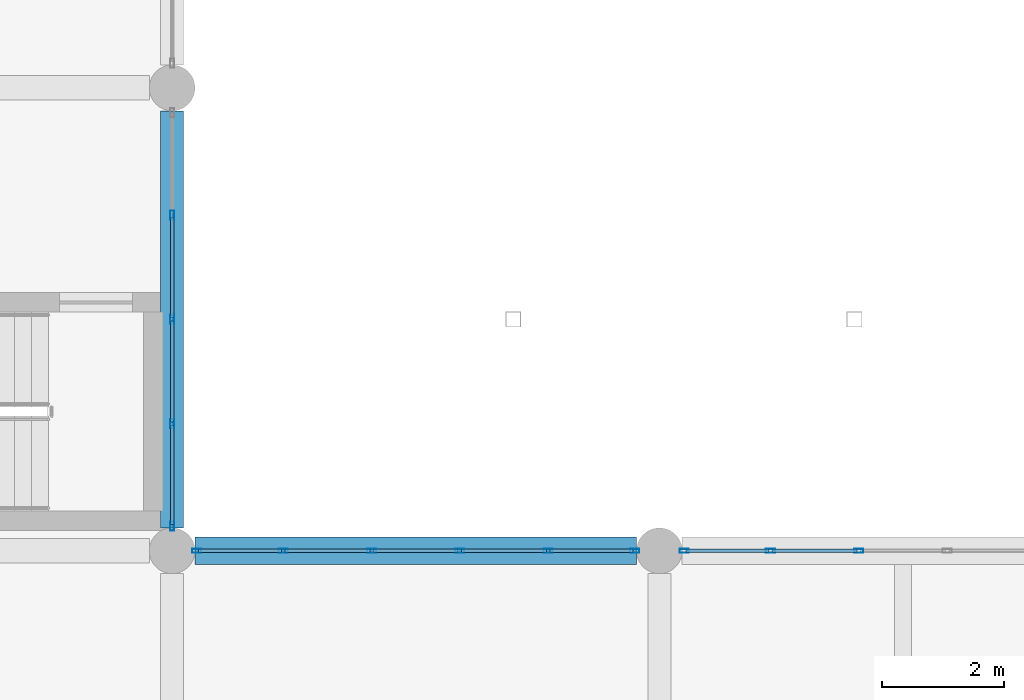
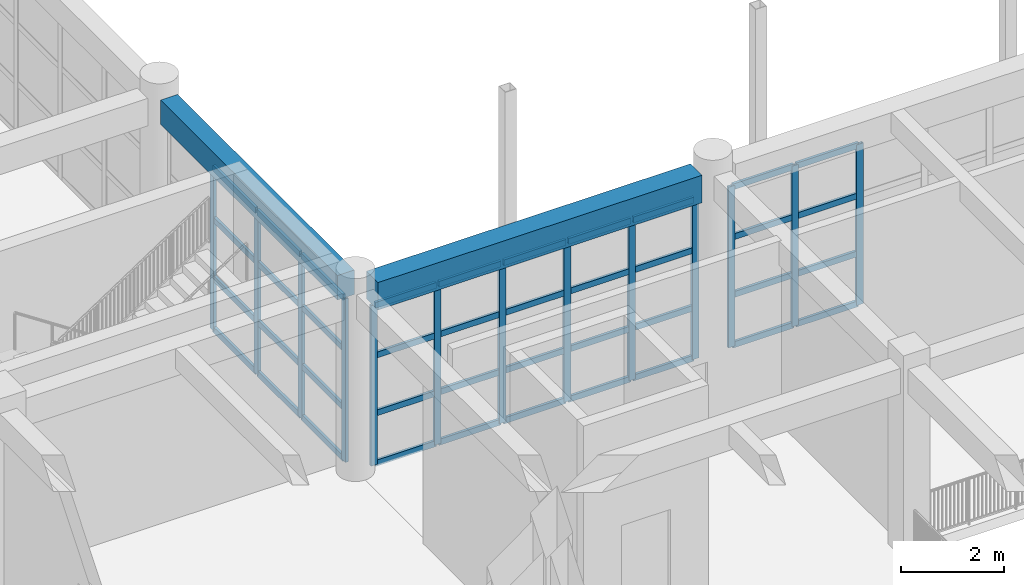
# One storey, part 27 of 101: 53 members, 2 beams, 3 elements without a shape of their own.
"""IFC4 building model written with IfcOpenShell, lengths in metres."""

from ifc_helpers import new_model, si_unit, direction, frame, origin, origin_2d, place, context, subcontext, project, spatial, rectangle, hollow_rectangle, extrude, material, material_profile, profile_set, type_object, element, aggregate, save


model = new_model("IFC4")

# Units and contexts
model_context = context("Model", 3, precision=1e-05, world=origin(), true_north=direction((0.0, 1.0)))
body_context = subcontext(model_context, "Body", "Model", "MODEL_VIEW")
ifc_project = project(units=[si_unit("LENGTHUNIT", "METRE"), si_unit("AREAUNIT", "SQUARE_METRE"), si_unit("VOLUMEUNIT", "CUBIC_METRE"), si_unit("PLANEANGLEUNIT", "RADIAN"), si_unit("MASSUNIT", "GRAM", prefix="KILO")], contexts=[model_context])

# Site, building, storey
site_placement = place(None, origin())
site = spatial("IfcSite", under=ifc_project, at=site_placement, CompositionType="ELEMENT")
building_placement = place(site_placement, origin())
building = spatial("IfcBuilding", under=site, at=building_placement, Name="Zantavel Square City Hall", CompositionType="ELEMENT")
storey_placement = place(building_placement, frame((0.0, 0.0, 5.39990234375)))
storey = spatial("IfcBuildingStorey", under=building, at=storey_placement, Name="L02", CompositionType="ELEMENT", Elevation=5.39990234375)

# Beam
ifc_material_1 = material(Name="Concrete C35/45", Category="concrete")
ifc_material_profile_1 = material_profile(ifc_material_1, rectangle(XDim=0.3798828125, YDim=0.580078125, at=origin_2d()), Name="RC 380x580")
ifc_profile_set_1 = profile_set([ifc_material_profile_1], Name="Concrete C35/45")
beam_type_1 = type_object("IfcBeamType", Name="Annex Secondary Beam RC 380x580 C35/45", PredefinedType="BEAM", material=ifc_profile_set_1)
beam_1_placement = place(storey_placement, frame((120.0, 38.375, 4.16015625), z_axis=(0.0, 1.0, 0.0), x_axis=(-1.0, 0.0, 0.0)))
element("IfcBeam", 1, at=beam_1_placement, inside=storey, type_object=beam_type_1, Name="L02 Beam BMY-L02-1200-0380", PredefinedType="BEAM", context=body_context, shape_type="SweptSolid", body=[
    extrude(rectangle(XDim=0.3798828125, YDim=0.580078125, at=origin_2d()), origin(), (0.0, 0.0, 1.0), 6.85009765625),
])

# Curtain wall, members
ifc_material_2 = material(Name="Anodised aluminium 6063-T6", Category="aluminium")
curtain_wall_type_1 = type_object("IfcCurtainWallType", Name="Curtain Wall CRT 7250x3800", PredefinedType="USERDEFINED", material=ifc_material_2)
curtain_wall_1_placement = place(storey_placement, origin())
curtain_wall_1 = element("IfcCurtainWall", 2, at=curtain_wall_1_placement, inside=storey, type_object=curtain_wall_type_1, Name="L02 Glazed Curtain Wall CW-L02-051", ObjectType="GLAZED CURTAIN WALL", PredefinedType="USERDEFINED")
ifc_material_profile_2 = material_profile(ifc_material_2, hollow_rectangle(XDim=0.06494140625, YDim=0.14990234375, WallThickness=0.00390625, at=origin_2d()), Name="ALU 65x150x4")
ifc_profile_set_2 = profile_set([ifc_material_profile_2], Name="Anodised aluminium 6063-T6")
member_type_1 = type_object("IfcMemberType", Name="CW Mullion ALU 65x150x4", PredefinedType="MULLION", material=ifc_profile_set_2)
member_1_placement = place(storey_placement, frame((120.405029296875, 38.0, 0.0), z_axis=(0.0, 0.0, 1.0), x_axis=(0.0, 1.0, 0.0)))
member_1 = element("IfcMember", 3, at=member_1_placement, type_object=member_type_1, Name="CW-051 mullion 1", PredefinedType="MULLION", context=body_context, shape_type="SweptSolid", body=[
    extrude(hollow_rectangle(XDim=0.06494140625, YDim=0.14990234375, WallThickness=0.00390625, at=origin_2d()), origin(), (0.0, 0.0, 1.0), 3.800048828125),
])
member_2_placement = place(storey_placement, frame((121.824951171875, 38.0, 0.0), z_axis=(0.0, 0.0, 1.0), x_axis=(0.0, 1.0, 0.0)))
member_2 = element("IfcMember", 4, at=member_2_placement, type_object=member_type_1, Name="CW-051 mullion 2", PredefinedType="MULLION", context=body_context, shape_type="SweptSolid", body=[
    extrude(hollow_rectangle(XDim=0.06494140625, YDim=0.14990234375, WallThickness=0.00390625, at=origin_2d()), origin(), (0.0, 0.0, 1.0), 3.800048828125),
])
member_3_placement = place(storey_placement, frame((123.27490234375, 38.0, 0.0), z_axis=(0.0, 0.0, 1.0), x_axis=(0.0, 1.0, 0.0)))
member_3 = element("IfcMember", 5, at=member_3_placement, type_object=member_type_1, Name="CW-051 mullion 3", PredefinedType="MULLION", context=body_context, shape_type="SweptSolid", body=[
    extrude(hollow_rectangle(XDim=0.06494140625, YDim=0.14990234375, WallThickness=0.00390625, at=origin_2d()), origin(), (0.0, 0.0, 1.0), 3.800048828125),
])
member_4_placement = place(storey_placement, frame((124.72509765625, 38.0, 0.0), z_axis=(0.0, 0.0, 1.0), x_axis=(0.0, 1.0, 0.0)))
member_4 = element("IfcMember", 6, at=member_4_placement, type_object=member_type_1, Name="CW-051 mullion 4", PredefinedType="MULLION", context=body_context, shape_type="SweptSolid", body=[
    extrude(hollow_rectangle(XDim=0.06494140625, YDim=0.14990234375, WallThickness=0.00390625, at=origin_2d()), origin(), (0.0, 0.0, 1.0), 3.800048828125),
])
member_5_placement = place(storey_placement, frame((126.175048828125, 38.0, 0.0), z_axis=(0.0, 0.0, 1.0), x_axis=(0.0, 1.0, 0.0)))
member_5 = element("IfcMember", 7, at=member_5_placement, type_object=member_type_1, Name="CW-051 mullion 5", PredefinedType="MULLION", context=body_context, shape_type="SweptSolid", body=[
    extrude(hollow_rectangle(XDim=0.06494140625, YDim=0.14990234375, WallThickness=0.00390625, at=origin_2d()), origin(), (0.0, 0.0, 1.0), 3.800048828125),
])
member_6_placement = place(storey_placement, frame((127.594970703125, 38.0, 0.0), z_axis=(0.0, 0.0, 1.0), x_axis=(0.0, 1.0, 0.0)))
member_6 = element("IfcMember", 8, at=member_6_placement, type_object=member_type_1, Name="CW-051 mullion 6", PredefinedType="MULLION", context=body_context, shape_type="SweptSolid", body=[
    extrude(hollow_rectangle(XDim=0.06494140625, YDim=0.14990234375, WallThickness=0.00390625, at=origin_2d()), origin(), (0.0, 0.0, 1.0), 3.800048828125),
])

curtain_wall_2_placement = place(storey_placement, origin())
curtain_wall_2 = element("IfcCurtainWall", 9, at=curtain_wall_2_placement, inside=storey, type_object=curtain_wall_type_1, Name="L02 Glazed Curtain Wall CW-L02-052", ObjectType="GLAZED CURTAIN WALL", PredefinedType="USERDEFINED")
member_7_placement = place(storey_placement, frame((128.405029296875, 38.0, 0.0), z_axis=(0.0, 0.0, 1.0), x_axis=(0.0, 1.0, 0.0)))
member_7 = element("IfcMember", 10, at=member_7_placement, type_object=member_type_1, Name="CW-052 mullion 1", PredefinedType="MULLION", context=body_context, shape_type="SweptSolid", body=[
    extrude(hollow_rectangle(XDim=0.06494140625, YDim=0.14990234375, WallThickness=0.00390625, at=origin_2d()), origin(), (0.0, 0.0, 1.0), 3.800048828125),
])
member_8_placement = place(storey_placement, frame((129.824951171875, 38.0, 0.0), z_axis=(0.0, 0.0, 1.0), x_axis=(0.0, 1.0, 0.0)))
member_8 = element("IfcMember", 11, at=member_8_placement, type_object=member_type_1, Name="CW-052 mullion 2", PredefinedType="MULLION", context=body_context, shape_type="SweptSolid", body=[
    extrude(hollow_rectangle(XDim=0.06494140625, YDim=0.14990234375, WallThickness=0.00390625, at=origin_2d()), origin(), (0.0, 0.0, 1.0), 3.800048828125),
])
member_9_placement = place(storey_placement, frame((131.27490234375, 38.0, 0.0), z_axis=(0.0, 0.0, 1.0), x_axis=(0.0, 1.0, 0.0)))
member_9 = element("IfcMember", 12, at=member_9_placement, type_object=member_type_1, Name="CW-052 mullion 3", PredefinedType="MULLION", context=body_context, shape_type="SweptSolid", body=[
    extrude(hollow_rectangle(XDim=0.06494140625, YDim=0.14990234375, WallThickness=0.00390625, at=origin_2d()), origin(), (0.0, 0.0, 1.0), 3.800048828125),
])

curtain_wall_type_2 = type_object("IfcCurtainWallType", Name="Curtain Wall CRT 6850x3870", PredefinedType="USERDEFINED", material=ifc_material_2)
curtain_wall_3_placement = place(storey_placement, origin())
curtain_wall_3 = element("IfcCurtainWall", 13, at=curtain_wall_3_placement, inside=storey, type_object=curtain_wall_type_2, Name="L02 Glazed Curtain Wall CW-L02-066", ObjectType="GLAZED CURTAIN WALL", PredefinedType="USERDEFINED")
member_10_placement = place(storey_placement, frame((120.0, 43.512451171875, 0.0), z_axis=(0.0, 0.0, 1.0), x_axis=(1.0, 0.0, 0.0)))
member_10 = element("IfcMember", 14, at=member_10_placement, type_object=member_type_1, Name="CW-066 mullion 2", PredefinedType="MULLION", context=body_context, shape_type="SweptSolid", body=[
    extrude(hollow_rectangle(XDim=0.06494140625, YDim=0.14990234375, WallThickness=0.00390625, at=origin_2d()), origin(), (0.0, 0.0, 1.0), 3.8701171875),
])
member_11_placement = place(storey_placement, frame((120.0, 41.800048828125, 0.0), z_axis=(0.0, 0.0, 1.0), x_axis=(1.0, 0.0, 0.0)))
member_11 = element("IfcMember", 15, at=member_11_placement, type_object=member_type_1, Name="CW-066 mullion 3", PredefinedType="MULLION", context=body_context, shape_type="SweptSolid", body=[
    extrude(hollow_rectangle(XDim=0.06494140625, YDim=0.14990234375, WallThickness=0.00390625, at=origin_2d()), origin(), (0.0, 0.0, 1.0), 3.8701171875),
])
member_12_placement = place(storey_placement, frame((120.0, 40.08740234375, 0.0), z_axis=(0.0, 0.0, 1.0), x_axis=(1.0, 0.0, 0.0)))
member_12 = element("IfcMember", 16, at=member_12_placement, type_object=member_type_1, Name="CW-066 mullion 4", PredefinedType="MULLION", context=body_context, shape_type="SweptSolid", body=[
    extrude(hollow_rectangle(XDim=0.06494140625, YDim=0.14990234375, WallThickness=0.00390625, at=origin_2d()), origin(), (0.0, 0.0, 1.0), 3.8701171875),
])
member_13_placement = place(storey_placement, frame((120.0, 38.405029296875, 0.0), z_axis=(0.0, 0.0, 1.0), x_axis=(1.0, 0.0, 0.0)))
member_13 = element("IfcMember", 17, at=member_13_placement, type_object=member_type_1, Name="CW-066 mullion 5", PredefinedType="MULLION", context=body_context, shape_type="SweptSolid", body=[
    extrude(hollow_rectangle(XDim=0.06494140625, YDim=0.14990234375, WallThickness=0.00390625, at=origin_2d()), origin(), (0.0, 0.0, 1.0), 3.8701171875),
])

# Member
ifc_material_profile_3 = material_profile(ifc_material_2, hollow_rectangle(XDim=0.06005859375, YDim=0.139892578125, WallThickness=0.00390625, at=origin_2d()), Name="ALU 60x140x4")
ifc_profile_set_3 = profile_set([ifc_material_profile_3], Name="Anodised aluminium 6063-T6")
member_type_2 = type_object("IfcMemberType", Name="CW Transom ALU 60x140x4", PredefinedType="USERDEFINED", material=ifc_profile_set_3)
member_14_placement = place(storey_placement, frame((120.43505859375, 38.0, 0.030029296875), z_axis=(1.0, 0.0, 0.0), x_axis=(0.0, 1.0, 0.0)))
member_14 = element("IfcMember", 18, at=member_14_placement, type_object=member_type_2, Name="CW-051 transom 1.1", ObjectType="TRANSOM", PredefinedType="USERDEFINED", context=body_context, shape_type="SweptSolid", body=[
    extrude(hollow_rectangle(XDim=0.06005859375, YDim=0.139892578125, WallThickness=0.00390625, at=origin_2d()), origin(), (0.0, 0.0, 1.0), 1.35986328125),
])

member_15_placement = place(storey_placement, frame((120.43505859375, 38.0, 1.216064453125), z_axis=(1.0, 0.0, 0.0), x_axis=(0.0, 1.0, 0.0)))
member_15 = element("IfcMember", 19, at=member_15_placement, type_object=member_type_2, Name="CW-051 transom 1.2", ObjectType="TRANSOM", PredefinedType="USERDEFINED", context=body_context, shape_type="SweptSolid", body=[
    extrude(hollow_rectangle(XDim=0.06005859375, YDim=0.139892578125, WallThickness=0.00390625, at=origin_2d()), origin(), (0.0, 0.0, 1.0), 1.35986328125),
])

member_16_placement = place(storey_placement, frame((120.43505859375, 38.0, 2.583984375), z_axis=(1.0, 0.0, 0.0), x_axis=(0.0, 1.0, 0.0)))
member_16 = element("IfcMember", 20, at=member_16_placement, type_object=member_type_2, Name="CW-051 transom 1.3", ObjectType="TRANSOM", PredefinedType="USERDEFINED", context=body_context, shape_type="SweptSolid", body=[
    extrude(hollow_rectangle(XDim=0.06005859375, YDim=0.139892578125, WallThickness=0.00390625, at=origin_2d()), origin(), (0.0, 0.0, 1.0), 1.35986328125),
])

member_17_placement = place(storey_placement, frame((120.43505859375, 38.0, 3.77001953125), z_axis=(1.0, 0.0, 0.0), x_axis=(0.0, 1.0, 0.0)))
member_17 = element("IfcMember", 21, at=member_17_placement, type_object=member_type_2, Name="CW-051 transom 1.4", ObjectType="TRANSOM", PredefinedType="USERDEFINED", context=body_context, shape_type="SweptSolid", body=[
    extrude(hollow_rectangle(XDim=0.06005859375, YDim=0.139892578125, WallThickness=0.00390625, at=origin_2d()), origin(), (0.0, 0.0, 1.0), 1.35986328125),
])

member_18_placement = place(storey_placement, frame((121.85498046875, 38.0, 0.030029296875), z_axis=(1.0, 0.0, 0.0), x_axis=(0.0, 1.0, 0.0)))
member_18 = element("IfcMember", 22, at=member_18_placement, type_object=member_type_2, Name="CW-051 transom 2.1", ObjectType="TRANSOM", PredefinedType="USERDEFINED", context=body_context, shape_type="SweptSolid", body=[
    extrude(hollow_rectangle(XDim=0.06005859375, YDim=0.139892578125, WallThickness=0.00390625, at=origin_2d()), origin(), (0.0, 0.0, 1.0), 1.39013671875),
])

member_19_placement = place(storey_placement, frame((121.85498046875, 38.0, 1.216064453125), z_axis=(1.0, 0.0, 0.0), x_axis=(0.0, 1.0, 0.0)))
member_19 = element("IfcMember", 23, at=member_19_placement, type_object=member_type_2, Name="CW-051 transom 2.2", ObjectType="TRANSOM", PredefinedType="USERDEFINED", context=body_context, shape_type="SweptSolid", body=[
    extrude(hollow_rectangle(XDim=0.06005859375, YDim=0.139892578125, WallThickness=0.00390625, at=origin_2d()), origin(), (0.0, 0.0, 1.0), 1.39013671875),
])

member_20_placement = place(storey_placement, frame((121.85498046875, 38.0, 2.583984375), z_axis=(1.0, 0.0, 0.0), x_axis=(0.0, 1.0, 0.0)))
member_20 = element("IfcMember", 24, at=member_20_placement, type_object=member_type_2, Name="CW-051 transom 2.3", ObjectType="TRANSOM", PredefinedType="USERDEFINED", context=body_context, shape_type="SweptSolid", body=[
    extrude(hollow_rectangle(XDim=0.06005859375, YDim=0.139892578125, WallThickness=0.00390625, at=origin_2d()), origin(), (0.0, 0.0, 1.0), 1.39013671875),
])

member_21_placement = place(storey_placement, frame((121.85498046875, 38.0, 3.77001953125), z_axis=(1.0, 0.0, 0.0), x_axis=(0.0, 1.0, 0.0)))
member_21 = element("IfcMember", 25, at=member_21_placement, type_object=member_type_2, Name="CW-051 transom 2.4", ObjectType="TRANSOM", PredefinedType="USERDEFINED", context=body_context, shape_type="SweptSolid", body=[
    extrude(hollow_rectangle(XDim=0.06005859375, YDim=0.139892578125, WallThickness=0.00390625, at=origin_2d()), origin(), (0.0, 0.0, 1.0), 1.39013671875),
])

member_22_placement = place(storey_placement, frame((123.304931640625, 38.0, 0.030029296875), z_axis=(1.0, 0.0, 0.0), x_axis=(0.0, 1.0, 0.0)))
member_22 = element("IfcMember", 26, at=member_22_placement, type_object=member_type_2, Name="CW-051 transom 3.1", ObjectType="TRANSOM", PredefinedType="USERDEFINED", context=body_context, shape_type="SweptSolid", body=[
    extrude(hollow_rectangle(XDim=0.06005859375, YDim=0.139892578125, WallThickness=0.00390625, at=origin_2d()), origin(), (0.0, 0.0, 1.0), 1.39013671875),
])

member_23_placement = place(storey_placement, frame((123.304931640625, 38.0, 1.216064453125), z_axis=(1.0, 0.0, 0.0), x_axis=(0.0, 1.0, 0.0)))
member_23 = element("IfcMember", 27, at=member_23_placement, type_object=member_type_2, Name="CW-051 transom 3.2", ObjectType="TRANSOM", PredefinedType="USERDEFINED", context=body_context, shape_type="SweptSolid", body=[
    extrude(hollow_rectangle(XDim=0.06005859375, YDim=0.139892578125, WallThickness=0.00390625, at=origin_2d()), origin(), (0.0, 0.0, 1.0), 1.39013671875),
])

member_24_placement = place(storey_placement, frame((123.304931640625, 38.0, 2.583984375), z_axis=(1.0, 0.0, 0.0), x_axis=(0.0, 1.0, 0.0)))
member_24 = element("IfcMember", 28, at=member_24_placement, type_object=member_type_2, Name="CW-051 transom 3.3", ObjectType="TRANSOM", PredefinedType="USERDEFINED", context=body_context, shape_type="SweptSolid", body=[
    extrude(hollow_rectangle(XDim=0.06005859375, YDim=0.139892578125, WallThickness=0.00390625, at=origin_2d()), origin(), (0.0, 0.0, 1.0), 1.39013671875),
])

member_25_placement = place(storey_placement, frame((123.304931640625, 38.0, 3.77001953125), z_axis=(1.0, 0.0, 0.0), x_axis=(0.0, 1.0, 0.0)))
member_25 = element("IfcMember", 29, at=member_25_placement, type_object=member_type_2, Name="CW-051 transom 3.4", ObjectType="TRANSOM", PredefinedType="USERDEFINED", context=body_context, shape_type="SweptSolid", body=[
    extrude(hollow_rectangle(XDim=0.06005859375, YDim=0.139892578125, WallThickness=0.00390625, at=origin_2d()), origin(), (0.0, 0.0, 1.0), 1.39013671875),
])

member_26_placement = place(storey_placement, frame((124.7548828125, 38.0, 0.030029296875), z_axis=(1.0, 0.0, 0.0), x_axis=(0.0, 1.0, 0.0)))
member_26 = element("IfcMember", 30, at=member_26_placement, type_object=member_type_2, Name="CW-051 transom 4.1", ObjectType="TRANSOM", PredefinedType="USERDEFINED", context=body_context, shape_type="SweptSolid", body=[
    extrude(hollow_rectangle(XDim=0.06005859375, YDim=0.139892578125, WallThickness=0.00390625, at=origin_2d()), origin(), (0.0, 0.0, 1.0), 1.39013671875),
])

member_27_placement = place(storey_placement, frame((124.7548828125, 38.0, 1.216064453125), z_axis=(1.0, 0.0, 0.0), x_axis=(0.0, 1.0, 0.0)))
member_27 = element("IfcMember", 31, at=member_27_placement, type_object=member_type_2, Name="CW-051 transom 4.2", ObjectType="TRANSOM", PredefinedType="USERDEFINED", context=body_context, shape_type="SweptSolid", body=[
    extrude(hollow_rectangle(XDim=0.06005859375, YDim=0.139892578125, WallThickness=0.00390625, at=origin_2d()), origin(), (0.0, 0.0, 1.0), 1.39013671875),
])

member_28_placement = place(storey_placement, frame((124.7548828125, 38.0, 2.583984375), z_axis=(1.0, 0.0, 0.0), x_axis=(0.0, 1.0, 0.0)))
member_28 = element("IfcMember", 32, at=member_28_placement, type_object=member_type_2, Name="CW-051 transom 4.3", ObjectType="TRANSOM", PredefinedType="USERDEFINED", context=body_context, shape_type="SweptSolid", body=[
    extrude(hollow_rectangle(XDim=0.06005859375, YDim=0.139892578125, WallThickness=0.00390625, at=origin_2d()), origin(), (0.0, 0.0, 1.0), 1.39013671875),
])

member_29_placement = place(storey_placement, frame((124.7548828125, 38.0, 3.77001953125), z_axis=(1.0, 0.0, 0.0), x_axis=(0.0, 1.0, 0.0)))
member_29 = element("IfcMember", 33, at=member_29_placement, type_object=member_type_2, Name="CW-051 transom 4.4", ObjectType="TRANSOM", PredefinedType="USERDEFINED", context=body_context, shape_type="SweptSolid", body=[
    extrude(hollow_rectangle(XDim=0.06005859375, YDim=0.139892578125, WallThickness=0.00390625, at=origin_2d()), origin(), (0.0, 0.0, 1.0), 1.39013671875),
])

member_30_placement = place(storey_placement, frame((126.205078125, 38.0, 0.030029296875), z_axis=(1.0, 0.0, 0.0), x_axis=(0.0, 1.0, 0.0)))
member_30 = element("IfcMember", 34, at=member_30_placement, type_object=member_type_2, Name="CW-051 transom 5.1", ObjectType="TRANSOM", PredefinedType="USERDEFINED", context=body_context, shape_type="SweptSolid", body=[
    extrude(hollow_rectangle(XDim=0.06005859375, YDim=0.139892578125, WallThickness=0.00390625, at=origin_2d()), origin(), (0.0, 0.0, 1.0), 1.35986328125),
])

member_31_placement = place(storey_placement, frame((126.205078125, 38.0, 1.216064453125), z_axis=(1.0, 0.0, 0.0), x_axis=(0.0, 1.0, 0.0)))
member_31 = element("IfcMember", 35, at=member_31_placement, type_object=member_type_2, Name="CW-051 transom 5.2", ObjectType="TRANSOM", PredefinedType="USERDEFINED", context=body_context, shape_type="SweptSolid", body=[
    extrude(hollow_rectangle(XDim=0.06005859375, YDim=0.139892578125, WallThickness=0.00390625, at=origin_2d()), origin(), (0.0, 0.0, 1.0), 1.35986328125),
])

member_32_placement = place(storey_placement, frame((126.205078125, 38.0, 2.583984375), z_axis=(1.0, 0.0, 0.0), x_axis=(0.0, 1.0, 0.0)))
member_32 = element("IfcMember", 36, at=member_32_placement, type_object=member_type_2, Name="CW-051 transom 5.3", ObjectType="TRANSOM", PredefinedType="USERDEFINED", context=body_context, shape_type="SweptSolid", body=[
    extrude(hollow_rectangle(XDim=0.06005859375, YDim=0.139892578125, WallThickness=0.00390625, at=origin_2d()), origin(), (0.0, 0.0, 1.0), 1.35986328125),
])

member_33_placement = place(storey_placement, frame((126.205078125, 38.0, 3.77001953125), z_axis=(1.0, 0.0, 0.0), x_axis=(0.0, 1.0, 0.0)))
member_33 = element("IfcMember", 37, at=member_33_placement, type_object=member_type_2, Name="CW-051 transom 5.4", ObjectType="TRANSOM", PredefinedType="USERDEFINED", context=body_context, shape_type="SweptSolid", body=[
    extrude(hollow_rectangle(XDim=0.06005859375, YDim=0.139892578125, WallThickness=0.00390625, at=origin_2d()), origin(), (0.0, 0.0, 1.0), 1.35986328125),
])

aggregate(curtain_wall_1, [member_1, member_2, member_3, member_4, member_5, member_6, member_14, member_15, member_16, member_17, member_18, member_19, member_20, member_21, member_22, member_23, member_24, member_25, member_26, member_27, member_28, member_29, member_30, member_31, member_32, member_33])

member_34_placement = place(storey_placement, frame((128.43505859375, 38.0, 0.030029296875), z_axis=(1.0, 0.0, 0.0), x_axis=(0.0, 1.0, 0.0)))
member_34 = element("IfcMember", 38, at=member_34_placement, type_object=member_type_2, Name="CW-052 transom 1.1", ObjectType="TRANSOM", PredefinedType="USERDEFINED", context=body_context, shape_type="SweptSolid", body=[
    extrude(hollow_rectangle(XDim=0.06005859375, YDim=0.139892578125, WallThickness=0.00390625, at=origin_2d()), origin(), (0.0, 0.0, 1.0), 1.35986328125),
])

member_35_placement = place(storey_placement, frame((128.43505859375, 38.0, 1.216064453125), z_axis=(1.0, 0.0, 0.0), x_axis=(0.0, 1.0, 0.0)))
member_35 = element("IfcMember", 39, at=member_35_placement, type_object=member_type_2, Name="CW-052 transom 1.2", ObjectType="TRANSOM", PredefinedType="USERDEFINED", context=body_context, shape_type="SweptSolid", body=[
    extrude(hollow_rectangle(XDim=0.06005859375, YDim=0.139892578125, WallThickness=0.00390625, at=origin_2d()), origin(), (0.0, 0.0, 1.0), 1.35986328125),
])

member_36_placement = place(storey_placement, frame((128.43505859375, 38.0, 2.583984375), z_axis=(1.0, 0.0, 0.0), x_axis=(0.0, 1.0, 0.0)))
member_36 = element("IfcMember", 40, at=member_36_placement, type_object=member_type_2, Name="CW-052 transom 1.3", ObjectType="TRANSOM", PredefinedType="USERDEFINED", context=body_context, shape_type="SweptSolid", body=[
    extrude(hollow_rectangle(XDim=0.06005859375, YDim=0.139892578125, WallThickness=0.00390625, at=origin_2d()), origin(), (0.0, 0.0, 1.0), 1.35986328125),
])

member_37_placement = place(storey_placement, frame((128.43505859375, 38.0, 3.77001953125), z_axis=(1.0, 0.0, 0.0), x_axis=(0.0, 1.0, 0.0)))
member_37 = element("IfcMember", 41, at=member_37_placement, type_object=member_type_2, Name="CW-052 transom 1.4", ObjectType="TRANSOM", PredefinedType="USERDEFINED", context=body_context, shape_type="SweptSolid", body=[
    extrude(hollow_rectangle(XDim=0.06005859375, YDim=0.139892578125, WallThickness=0.00390625, at=origin_2d()), origin(), (0.0, 0.0, 1.0), 1.35986328125),
])

member_38_placement = place(storey_placement, frame((129.85498046875, 38.0, 0.030029296875), z_axis=(1.0, 0.0, 0.0), x_axis=(0.0, 1.0, 0.0)))
member_38 = element("IfcMember", 42, at=member_38_placement, type_object=member_type_2, Name="CW-052 transom 2.1", ObjectType="TRANSOM", PredefinedType="USERDEFINED", context=body_context, shape_type="SweptSolid", body=[
    extrude(hollow_rectangle(XDim=0.06005859375, YDim=0.139892578125, WallThickness=0.00390625, at=origin_2d()), origin(), (0.0, 0.0, 1.0), 1.39013671875),
])

member_39_placement = place(storey_placement, frame((129.85498046875, 38.0, 1.216064453125), z_axis=(1.0, 0.0, 0.0), x_axis=(0.0, 1.0, 0.0)))
member_39 = element("IfcMember", 43, at=member_39_placement, type_object=member_type_2, Name="CW-052 transom 2.2", ObjectType="TRANSOM", PredefinedType="USERDEFINED", context=body_context, shape_type="SweptSolid", body=[
    extrude(hollow_rectangle(XDim=0.06005859375, YDim=0.139892578125, WallThickness=0.00390625, at=origin_2d()), origin(), (0.0, 0.0, 1.0), 1.39013671875),
])

member_40_placement = place(storey_placement, frame((129.85498046875, 38.0, 2.583984375), z_axis=(1.0, 0.0, 0.0), x_axis=(0.0, 1.0, 0.0)))
member_40 = element("IfcMember", 44, at=member_40_placement, type_object=member_type_2, Name="CW-052 transom 2.3", ObjectType="TRANSOM", PredefinedType="USERDEFINED", context=body_context, shape_type="SweptSolid", body=[
    extrude(hollow_rectangle(XDim=0.06005859375, YDim=0.139892578125, WallThickness=0.00390625, at=origin_2d()), origin(), (0.0, 0.0, 1.0), 1.39013671875),
])

member_41_placement = place(storey_placement, frame((129.85498046875, 38.0, 3.77001953125), z_axis=(1.0, 0.0, 0.0), x_axis=(0.0, 1.0, 0.0)))
member_41 = element("IfcMember", 45, at=member_41_placement, type_object=member_type_2, Name="CW-052 transom 2.4", ObjectType="TRANSOM", PredefinedType="USERDEFINED", context=body_context, shape_type="SweptSolid", body=[
    extrude(hollow_rectangle(XDim=0.06005859375, YDim=0.139892578125, WallThickness=0.00390625, at=origin_2d()), origin(), (0.0, 0.0, 1.0), 1.39013671875),
])

aggregate(curtain_wall_2, [member_7, member_8, member_9, member_34, member_35, member_36, member_37, member_38, member_39, member_40, member_41])

member_42_placement = place(storey_placement, frame((120.0, 43.482421875, 0.030029296875), z_axis=(0.0, -1.0, 0.0), x_axis=(1.0, 0.0, 0.0)))
member_42 = element("IfcMember", 46, at=member_42_placement, type_object=member_type_2, Name="CW-066 transom 2.1", ObjectType="TRANSOM", PredefinedType="USERDEFINED", context=body_context, shape_type="SweptSolid", body=[
    extrude(hollow_rectangle(XDim=0.06005859375, YDim=0.139892578125, WallThickness=0.00390625, at=origin_2d()), origin(), (0.0, 0.0, 1.0), 1.65234375),
])

member_43_placement = place(storey_placement, frame((120.0, 43.482421875, 1.238037109375), z_axis=(0.0, -1.0, 0.0), x_axis=(1.0, 0.0, 0.0)))
member_43 = element("IfcMember", 47, at=member_43_placement, type_object=member_type_2, Name="CW-066 transom 2.2", ObjectType="TRANSOM", PredefinedType="USERDEFINED", context=body_context, shape_type="SweptSolid", body=[
    extrude(hollow_rectangle(XDim=0.06005859375, YDim=0.139892578125, WallThickness=0.00390625, at=origin_2d()), origin(), (0.0, 0.0, 1.0), 1.65234375),
])

member_44_placement = place(storey_placement, frame((120.0, 43.482421875, 2.632080078125), z_axis=(0.0, -1.0, 0.0), x_axis=(1.0, 0.0, 0.0)))
member_44 = element("IfcMember", 48, at=member_44_placement, type_object=member_type_2, Name="CW-066 transom 2.3", ObjectType="TRANSOM", PredefinedType="USERDEFINED", context=body_context, shape_type="SweptSolid", body=[
    extrude(hollow_rectangle(XDim=0.06005859375, YDim=0.139892578125, WallThickness=0.00390625, at=origin_2d()), origin(), (0.0, 0.0, 1.0), 1.65234375),
])

member_45_placement = place(storey_placement, frame((120.0, 43.482421875, 3.840087890625), z_axis=(0.0, -1.0, 0.0), x_axis=(1.0, 0.0, 0.0)))
member_45 = element("IfcMember", 49, at=member_45_placement, type_object=member_type_2, Name="CW-066 transom 2.4", ObjectType="TRANSOM", PredefinedType="USERDEFINED", context=body_context, shape_type="SweptSolid", body=[
    extrude(hollow_rectangle(XDim=0.06005859375, YDim=0.139892578125, WallThickness=0.00390625, at=origin_2d()), origin(), (0.0, 0.0, 1.0), 1.65234375),
])

member_46_placement = place(storey_placement, frame((120.0, 41.77001953125, 0.030029296875), z_axis=(0.0, -1.0, 0.0), x_axis=(1.0, 0.0, 0.0)))
member_46 = element("IfcMember", 50, at=member_46_placement, type_object=member_type_2, Name="CW-066 transom 3.1", ObjectType="TRANSOM", PredefinedType="USERDEFINED", context=body_context, shape_type="SweptSolid", body=[
    extrude(hollow_rectangle(XDim=0.06005859375, YDim=0.139892578125, WallThickness=0.00390625, at=origin_2d()), origin(), (0.0, 0.0, 1.0), 1.652587890625),
])

member_47_placement = place(storey_placement, frame((120.0, 41.77001953125, 1.238037109375), z_axis=(0.0, -1.0, 0.0), x_axis=(1.0, 0.0, 0.0)))
member_47 = element("IfcMember", 51, at=member_47_placement, type_object=member_type_2, Name="CW-066 transom 3.2", ObjectType="TRANSOM", PredefinedType="USERDEFINED", context=body_context, shape_type="SweptSolid", body=[
    extrude(hollow_rectangle(XDim=0.06005859375, YDim=0.139892578125, WallThickness=0.00390625, at=origin_2d()), origin(), (0.0, 0.0, 1.0), 1.652587890625),
])

member_48_placement = place(storey_placement, frame((120.0, 41.77001953125, 2.632080078125), z_axis=(0.0, -1.0, 0.0), x_axis=(1.0, 0.0, 0.0)))
member_48 = element("IfcMember", 52, at=member_48_placement, type_object=member_type_2, Name="CW-066 transom 3.3", ObjectType="TRANSOM", PredefinedType="USERDEFINED", context=body_context, shape_type="SweptSolid", body=[
    extrude(hollow_rectangle(XDim=0.06005859375, YDim=0.139892578125, WallThickness=0.00390625, at=origin_2d()), origin(), (0.0, 0.0, 1.0), 1.652587890625),
])

member_49_placement = place(storey_placement, frame((120.0, 41.77001953125, 3.840087890625), z_axis=(0.0, -1.0, 0.0), x_axis=(1.0, 0.0, 0.0)))
member_49 = element("IfcMember", 53, at=member_49_placement, type_object=member_type_2, Name="CW-066 transom 3.4", ObjectType="TRANSOM", PredefinedType="USERDEFINED", context=body_context, shape_type="SweptSolid", body=[
    extrude(hollow_rectangle(XDim=0.06005859375, YDim=0.139892578125, WallThickness=0.00390625, at=origin_2d()), origin(), (0.0, 0.0, 1.0), 1.652587890625),
])

member_50_placement = place(storey_placement, frame((120.0, 40.0576171875, 0.030029296875), z_axis=(0.0, -1.0, 0.0), x_axis=(1.0, 0.0, 0.0)))
member_50 = element("IfcMember", 54, at=member_50_placement, type_object=member_type_2, Name="CW-066 transom 4.1", ObjectType="TRANSOM", PredefinedType="USERDEFINED", context=body_context, shape_type="SweptSolid", body=[
    extrude(hollow_rectangle(XDim=0.06005859375, YDim=0.139892578125, WallThickness=0.00390625, at=origin_2d()), origin(), (0.0, 0.0, 1.0), 1.62255859375),
])

member_51_placement = place(storey_placement, frame((120.0, 40.0576171875, 1.238037109375), z_axis=(0.0, -1.0, 0.0), x_axis=(1.0, 0.0, 0.0)))
member_51 = element("IfcMember", 55, at=member_51_placement, type_object=member_type_2, Name="CW-066 transom 4.2", ObjectType="TRANSOM", PredefinedType="USERDEFINED", context=body_context, shape_type="SweptSolid", body=[
    extrude(hollow_rectangle(XDim=0.06005859375, YDim=0.139892578125, WallThickness=0.00390625, at=origin_2d()), origin(), (0.0, 0.0, 1.0), 1.62255859375),
])

member_52_placement = place(storey_placement, frame((120.0, 40.0576171875, 2.632080078125), z_axis=(0.0, -1.0, 0.0), x_axis=(1.0, 0.0, 0.0)))
member_52 = element("IfcMember", 56, at=member_52_placement, type_object=member_type_2, Name="CW-066 transom 4.3", ObjectType="TRANSOM", PredefinedType="USERDEFINED", context=body_context, shape_type="SweptSolid", body=[
    extrude(hollow_rectangle(XDim=0.06005859375, YDim=0.139892578125, WallThickness=0.00390625, at=origin_2d()), origin(), (0.0, 0.0, 1.0), 1.62255859375),
])

member_53_placement = place(storey_placement, frame((120.0, 40.0576171875, 3.840087890625), z_axis=(0.0, -1.0, 0.0), x_axis=(1.0, 0.0, 0.0)))
member_53 = element("IfcMember", 57, at=member_53_placement, type_object=member_type_2, Name="CW-066 transom 4.4", ObjectType="TRANSOM", PredefinedType="USERDEFINED", context=body_context, shape_type="SweptSolid", body=[
    extrude(hollow_rectangle(XDim=0.06005859375, YDim=0.139892578125, WallThickness=0.00390625, at=origin_2d()), origin(), (0.0, 0.0, 1.0), 1.62255859375),
])

aggregate(curtain_wall_3, [member_10, member_11, member_12, member_13, member_42, member_43, member_44, member_45, member_46, member_47, member_48, member_49, member_50, member_51, member_52, member_53])

# Beam
ifc_material_profile_4 = material_profile(ifc_material_1, rectangle(XDim=0.449951171875, YDim=0.64990234375, at=origin_2d()), Name="RC 450x650")
ifc_profile_set_4 = profile_set([ifc_material_profile_4], Name="Concrete C35/45")
beam_type_2 = type_object("IfcBeamType", Name="Courtyard Cloister Girder RC 450x650 C35/45", PredefinedType="BEAM", material=ifc_profile_set_4)
beam_2_placement = place(storey_placement, frame((120.375, 38.0, 4.125), z_axis=(1.0, 0.0, 0.0), x_axis=(0.0, 1.0, 0.0)))
element("IfcBeam", 58, at=beam_2_placement, inside=storey, type_object=beam_type_2, Name="L02 Girder BMX-L02-1200-0380", PredefinedType="BEAM", context=body_context, shape_type="SweptSolid", body=[
    extrude(rectangle(XDim=0.449951171875, YDim=0.64990234375, at=origin_2d()), origin(), (0.0, 0.0, 1.0), 7.25),
])

save(model, "model.ifc")
